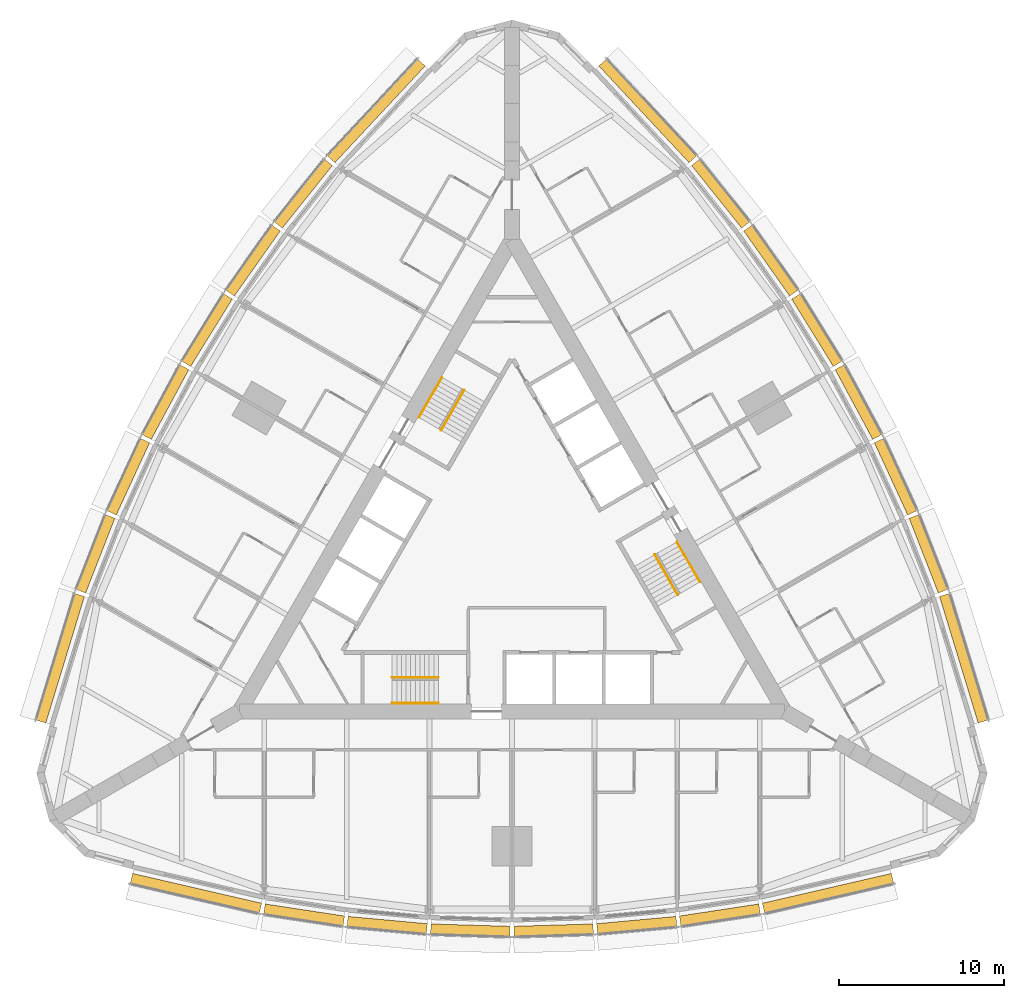
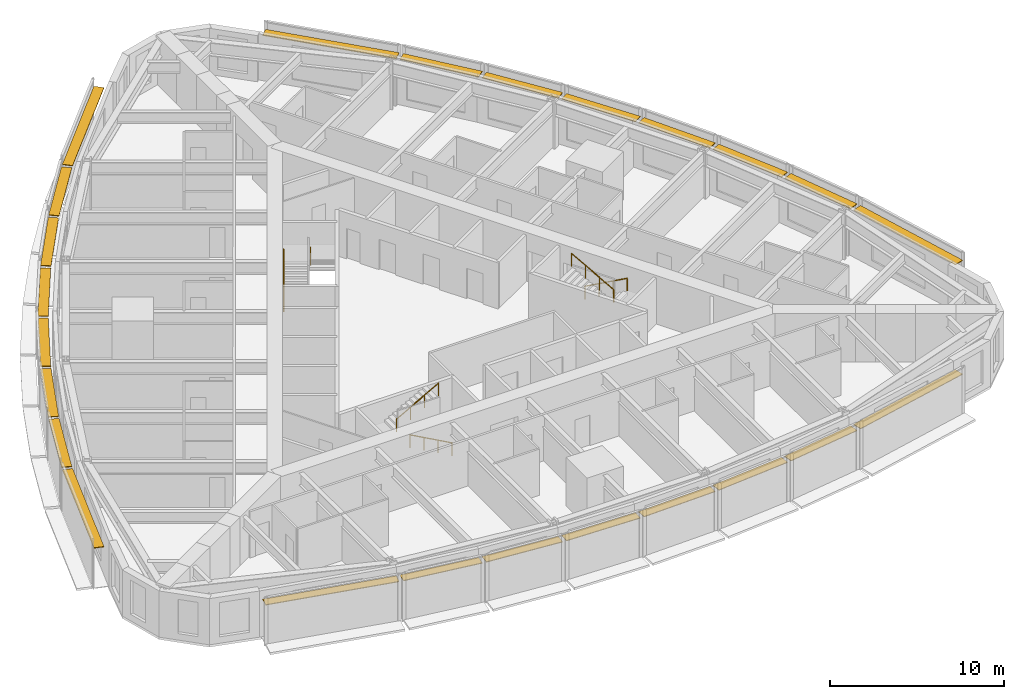
# One storey, part 14 of 14: 24 shading devices, 6 railings.
"""IFC4 building model written with IfcOpenShell, lengths in metres."""

import ifcopenshell
import ifcopenshell.guid

model = None  # the IFC model being written
_history = None  # IfcOwnerHistory: only IFC2X3 demands one
_inside = {}  # id of a spatial element -> (the spatial element, [elements in it])
_under = {}  # id of a project, library or spatial element -> (it, [spatial elements below it])
_declared = {}  # id of a project -> (the project, [libraries it declares])
_typed = {}  # id of a type object -> (the type object, [elements of that type])
_made_of = {}  # id of a material, layer set ... -> (it, [elements and type objects made of it])


def new_model(schema):
    """Start an empty IFC model of exactly this schema.

    Asked for "IFC4X3", IfcOpenShell would pick the latest addendum, in which some entities
    have other attributes; the version numbers below select the first issue.
    IFC2X3 requires an IfcOwnerHistory on every rooted entity: one is made here for all.
    """
    global model, _history
    if schema == "IFC4X3":
        model = ifcopenshell.file(schema_version=(4, 3, 0, 0))
    else:
        model = ifcopenshell.file(schema=schema)
    _inside.clear()
    _under.clear()
    _declared.clear()
    _typed.clear()
    _made_of.clear()
    _history = None
    if model.schema == "IFC2X3":
        org = make("IfcOrganization", Name="unknown")
        user = make(
            "IfcPersonAndOrganization",
            ThePerson=make("IfcPerson", FamilyName="unknown"),
            TheOrganization=org,
        )
        app = make(
            "IfcApplication",
            ApplicationDeveloper=org,
            Version="unknown",
            ApplicationFullName="unknown",
            ApplicationIdentifier="unknown",
        )
        _history = make(
            "IfcOwnerHistory",
            OwningUser=user,
            OwningApplication=app,
            ChangeAction="ADDED",
            CreationDate=0,
        )
    return model


def make(cls, **values):
    """One entity of the class cls with the attributes given. An attribute that is None is left unset."""
    return model.create_entity(
        cls, **{name: value for name, value in values.items() if value is not None}
    )


def rooted(cls, **values):
    """An entity with a GlobalId (a new one), such as an element, a storey or a relation."""
    return make(cls, GlobalId=ifcopenshell.guid.new(), OwnerHistory=_history, **values)


def si_unit(unit_type, name, prefix=None):
    """IfcSIUnit, for example si_unit("LENGTHUNIT", "METRE", prefix="MILLI")."""
    return make("IfcSIUnit", UnitType=unit_type, Prefix=prefix, Name=name)


def assignment(units):
    """IfcUnitAssignment: the units of a project."""
    return None if units is None else make("IfcUnitAssignment", Units=units)


def point(xyz):
    """IfcCartesianPoint."""
    return None if xyz is None else make("IfcCartesianPoint", Coordinates=xyz)


def direction(xyz):
    """IfcDirection."""
    return None if xyz is None else make("IfcDirection", DirectionRatios=xyz)


def frame(location, z_axis=None, x_axis=None):
    """IfcAxis2Placement3D, a coordinate frame: its origin and axes. An axis left out is left unset."""
    return make(
        "IfcAxis2Placement3D",
        Location=point(location),
        Axis=direction(z_axis),
        RefDirection=direction(x_axis),
    )


def frame_2d(location, x_axis=None):
    """IfcAxis2Placement2D, a coordinate frame in the plane: its origin and x axis."""
    return make(
        "IfcAxis2Placement2D", Location=point(location), RefDirection=direction(x_axis)
    )


def origin():
    """The frame at (0, 0, 0) with its axes left unset."""
    return frame((0.0, 0.0, 0.0))


def origin_2d():
    """The frame at (0, 0) in the plane with its x axis left unset."""
    return frame_2d((0.0, 0.0))


def place(relative_to, where):
    """IfcLocalPlacement: puts the frame where relative to a parent placement (None: the world)."""
    return make(
        "IfcLocalPlacement", PlacementRelTo=relative_to, RelativePlacement=where
    )


def context(
    kind, dimensions, precision=None, world=None, true_north=None, identifier=None
):
    """IfcGeometricRepresentationContext, for example the 3D "Model" context."""
    return make(
        "IfcGeometricRepresentationContext",
        ContextIdentifier=identifier,
        ContextType=kind,
        CoordinateSpaceDimension=dimensions,
        Precision=precision,
        WorldCoordinateSystem=world,
        TrueNorth=true_north,
    )


def subcontext(parent, identifier, kind, view, scale=None):
    """IfcGeometricRepresentationSubContext, for example "Body" below "Model"."""
    return make(
        "IfcGeometricRepresentationSubContext",
        ContextIdentifier=identifier,
        ContextType=kind,
        ParentContext=parent,
        TargetScale=scale,
        TargetView=view,
    )


def project(units=None, contexts=None):
    """IfcProject with its units and contexts."""
    return rooted(
        "IfcProject",
        Name="project",
        RepresentationContexts=contexts,
        UnitsInContext=assignment(units),
    )


def spatial(cls, under=None, at=None, **own):
    """A site, building, storey or space (cls), placed at a placement, below another one or the project."""
    s = rooted(cls, ObjectPlacement=at, **own)
    if under is not None:
        _under.setdefault(under.id(), (under, []))[1].append(s)
    return s


def profile(cls, at=None, kind="AREA", **sizes):
    """A parametric profile (cls). Its sizes go by their IFC names, for example OverallWidth=200.0."""
    return make(cls, ProfileType=kind, Position=at, **sizes)


def rectangle(**sizes):
    """IfcRectangleProfileDef."""
    return profile("IfcRectangleProfileDef", **sizes)


def circle(**sizes):
    """IfcCircleProfileDef."""
    return profile("IfcCircleProfileDef", **sizes)


def extrude(swept, where, along, depth):
    """IfcExtrudedAreaSolid: the profile swept, set in the frame where, extruded along a direction by depth."""
    return make(
        "IfcExtrudedAreaSolid",
        SweptArea=swept,
        Position=where,
        ExtrudedDirection=direction(along),
        Depth=depth,
    )


def shape(context_of_items, identifier, shape_type, items):
    """IfcShapeRepresentation: the items that make up one representation, for example the "Body"."""
    return make(
        "IfcShapeRepresentation",
        ContextOfItems=context_of_items,
        RepresentationIdentifier=identifier,
        RepresentationType=shape_type,
        Items=items,
    )


def material(Name=None, Category=None):
    """IfcMaterial."""
    return make("IfcMaterial", Name=Name, Category=Category)


def made_of(thing, what):
    """Note that an element or type object is made of a material, layer set ...; save() writes the relation."""
    if what is not None:
        _made_of.setdefault(what.id(), (what, []))[1].append(thing)
    return thing


def type_object(cls, material=None, **own):
    """A type object (cls), such as IfcWallType, which elements share."""
    return made_of(rooted(cls, **own), material)


def element(
    cls,
    number,
    at=None,
    inside=None,
    cuts=None,
    type_object=None,
    material=None,
    context=None,
    identifier="Body",
    shape_type=None,
    held_by="IfcProductDefinitionShape",
    body=None,
    shapes=None,
    **own,
):
    """One element of the class cls, such as IfcWall. Its Tag is "e" and its number.

    at: its placement. inside: the storey or other place that contains it. cuts: it is an
    opening in that element (IfcRelVoidsElement). A single representation is given by context,
    identifier, shape_type and body (its items); several are given by shapes. held_by: the class
    of the entity that holds the representations. save() writes the other relations.
    """
    e = rooted(cls, Tag="e%d" % number, ObjectPlacement=at, **own)
    if body is not None:
        shapes = [shape(context, identifier, shape_type, body)]
    if shapes is not None:
        e.Representation = make(held_by, Representations=shapes)
    if inside is not None:
        _inside.setdefault(inside.id(), (inside, []))[1].append(e)
    if cuts is not None:
        rooted(
            "IfcRelVoidsElement", RelatingBuildingElement=cuts, RelatedOpeningElement=e
        )
    if type_object is not None:
        _typed.setdefault(type_object.id(), (type_object, []))[1].append(e)
    return made_of(e, material)


def aggregate(whole, parts):
    """IfcRelAggregates: a whole, such as a stair, and the parts it consists of."""
    return rooted("IfcRelAggregates", RelatingObject=whole, RelatedObjects=parts)


def save(model, path):
    """Write the relations noted so far, then the file.

    IfcRelAggregates (storeys below a building ...), IfcRelContainedInSpatialStructure (elements
    in a storey), IfcRelDefinesByType, IfcRelAssociatesMaterial and IfcRelDeclares: one each for
    every whole, place, type object, material and project.
    """
    for whole, parts in _under.values():
        aggregate(whole, parts)
    for where, things in _inside.values():
        rooted(
            "IfcRelContainedInSpatialStructure",
            RelatedElements=things,
            RelatingStructure=where,
        )
    for kind, things in _typed.values():
        rooted("IfcRelDefinesByType", RelatedObjects=things, RelatingType=kind)
    for what, things in _made_of.values():
        rooted("IfcRelAssociatesMaterial", RelatedObjects=things, RelatingMaterial=what)
    for by, libraries in _declared.values():
        rooted("IfcRelDeclares", RelatingContext=by, RelatedDefinitions=libraries)
    model.write(path)


model = new_model("IFC4")

# Units and contexts
model_context = context("Model", 3, precision=1e-05, world=origin(), true_north=direction((0.0, 1.0)))
body_context = subcontext(model_context, "Body", "Model", "MODEL_VIEW")
ifc_project = project(units=[si_unit("LENGTHUNIT", "METRE"), si_unit("AREAUNIT", "SQUARE_METRE"), si_unit("VOLUMEUNIT", "CUBIC_METRE"), si_unit("PLANEANGLEUNIT", "RADIAN"), si_unit("MASSUNIT", "GRAM", prefix="KILO")], contexts=[model_context])

# Site, building, storey
site_placement = place(None, origin())
site = spatial("IfcSite", under=ifc_project, at=site_placement, CompositionType="ELEMENT")
building_placement = place(site_placement, origin())
building = spatial("IfcBuilding", under=site, at=building_placement, Name="Trikona Tower", CompositionType="ELEMENT")
storey_placement = place(building_placement, frame((0.0, 0.0, 82.89990234375)))
storey = spatial("IfcBuildingStorey", under=building, at=storey_placement, Name="L21", CompositionType="ELEMENT", Elevation=82.89990234375)

# Shading devices
ifc_material_1 = material(Name="Aluminium louvre blade, pale anodised", Category="aluminium")
shading_device_type = type_object("IfcShadingDeviceType", Name="Cavity louvre 600", PredefinedType="USERDEFINED", material=ifc_material_1)
shading_device_1_placement = place(storey_placement, frame((-19.126220703125, -20.5234375, 2.77490234375), z_axis=(0.0, 0.0, 1.0), x_axis=(0.974277718622, -0.225350675607, 0.0)))
element("IfcShadingDevice", 1, at=shading_device_1_placement, inside=storey, type_object=shading_device_type, Name="Cavity louvre L21-00", ObjectType="LOUVRE", PredefinedType="USERDEFINED", context=body_context, shape_type="SweptSolid", body=[
    extrude(rectangle(XDim=8.01123046875, YDim=0.60009765625, at=origin_2d()), origin(), (0.0, 0.0, 1.0), 0.050048828125),
])
shading_device_2_placement = place(storey_placement, frame((-12.584228515625, -21.837158203125, 2.77490234375), z_axis=(0.0, 0.0, 1.0), x_axis=(0.988617896768, -0.150448177754, 0.0)))
element("IfcShadingDevice", 2, at=shading_device_2_placement, inside=storey, type_object=shading_device_type, Name="Cavity louvre L21-01", ObjectType="LOUVRE", PredefinedType="USERDEFINED", context=body_context, shape_type="SweptSolid", body=[
    extrude(rectangle(XDim=4.857666015625, YDim=0.60009765625, at=origin_2d()), origin(), (0.0, 0.0, 1.0), 0.050048828125),
])
shading_device_3_placement = place(storey_placement, frame((-7.55078125, -22.44970703125, 2.77490234375), z_axis=(0.0, 0.0, 1.0), x_axis=(0.995858098326, -0.090921108655, 0.0)))
element("IfcShadingDevice", 3, at=shading_device_3_placement, inside=storey, type_object=shading_device_type, Name="Cavity louvre L21-02", ObjectType="LOUVRE", PredefinedType="USERDEFINED", context=body_context, shape_type="SweptSolid", body=[
    extrude(rectangle(XDim=4.82080078125, YDim=0.60009765625, at=origin_2d()), origin(), (0.0, 0.0, 1.0), 0.050048828125),
])
for number, where, z_axis, x_axis, name in (
    (4, (-2.51708984375, -22.756103515625, 2.77490234375), (0.0, 0.0, 1.0), (0.999537048889, -0.030425119525, 0.0), "Cavity louvre L21-03"),
    (5, (2.51708984375, -22.756103515625, 2.77490234375), (0.0, 0.0, 1.0), (0.999537048889, 0.030425119525, 0.0), "Cavity louvre L21-04"),
):
    element("IfcShadingDevice", number, at=place(storey_placement, frame(where, z_axis=z_axis, x_axis=x_axis)), inside=storey, type_object=shading_device_type, Name=name, ObjectType="LOUVRE", PredefinedType="USERDEFINED", context=body_context, shape_type="SweptSolid", body=[
        extrude(rectangle(XDim=4.80224609375, YDim=0.60009765625, at=origin_2d()), origin(), (0.0, 0.0, 1.0), 0.050048828125),
    ])
shading_device_4_placement = place(storey_placement, frame((7.55078125, -22.44970703125, 2.77490234375), z_axis=(0.0, 0.0, 1.0), x_axis=(0.995858098326, 0.090921108655, 0.0)))
element("IfcShadingDevice", 6, at=shading_device_4_placement, inside=storey, type_object=shading_device_type, Name="Cavity louvre L21-05", ObjectType="LOUVRE", PredefinedType="USERDEFINED", context=body_context, shape_type="SweptSolid", body=[
    extrude(rectangle(XDim=4.82080078125, YDim=0.60009765625, at=origin_2d()), origin(), (0.0, 0.0, 1.0), 0.050048828125),
])
shading_device_5_placement = place(storey_placement, frame((12.584228515625, -21.837158203125, 2.77490234375), z_axis=(0.0, 0.0, 1.0), x_axis=(0.988617896768, 0.150448177754, 0.0)))
element("IfcShadingDevice", 7, at=shading_device_5_placement, inside=storey, type_object=shading_device_type, Name="Cavity louvre L21-06", ObjectType="LOUVRE", PredefinedType="USERDEFINED", context=body_context, shape_type="SweptSolid", body=[
    extrude(rectangle(XDim=4.857666015625, YDim=0.60009765625, at=origin_2d()), origin(), (0.0, 0.0, 1.0), 0.050048828125),
])
for number, where, z_axis, x_axis, name in (
    (8, (19.126220703125, -20.5234375, 2.77490234375), (0.0, 0.0, 1.0), (0.974277718622, 0.225350675607, 0.0), "Cavity louvre L21-07"),
    (9, (27.3369140625, -6.302001953125, 2.77490234375), (0.0, 0.0, 1.0), (-0.291979449475, 0.956424592471, 0.0), "Cavity louvre L21-12"),
):
    element("IfcShadingDevice", number, at=place(storey_placement, frame(where, z_axis=z_axis, x_axis=x_axis)), inside=storey, type_object=shading_device_type, Name=name, ObjectType="LOUVRE", PredefinedType="USERDEFINED", context=body_context, shape_type="SweptSolid", body=[
        extrude(rectangle(XDim=8.01123046875, YDim=0.60009765625, at=origin_2d()), origin(), (0.0, 0.0, 1.0), 0.050048828125),
    ])
shading_device_6_placement = place(storey_placement, frame((25.20361328125, 0.020263671875, 2.77490234375), z_axis=(0.0, 0.0, 1.0), x_axis=(-0.364008876551, 0.931395478726, 0.0)))
element("IfcShadingDevice", 10, at=shading_device_6_placement, inside=storey, type_object=shading_device_type, Name="Cavity louvre L21-13", ObjectType="LOUVRE", PredefinedType="USERDEFINED", context=body_context, shape_type="SweptSolid", body=[
    extrude(rectangle(XDim=4.857666015625, YDim=0.60009765625, at=origin_2d()), origin(), (0.0, 0.0, 1.0), 0.050048828125),
])
shading_device_7_placement = place(storey_placement, frame((23.217529296875, 4.685546875, 2.77490234375), z_axis=(0.0, 0.0, 1.0), x_axis=(-0.41919381307, 0.907896771161, 0.0)))
element("IfcShadingDevice", 11, at=shading_device_7_placement, inside=storey, type_object=shading_device_type, Name="Cavity louvre L21-14", ObjectType="LOUVRE", PredefinedType="USERDEFINED", context=body_context, shape_type="SweptSolid", body=[
    extrude(rectangle(XDim=4.82080078125, YDim=0.60009765625, at=origin_2d()), origin(), (0.0, 0.0, 1.0), 0.050048828125),
])
for number, where, z_axis, x_axis, name in (
    (12, (20.966064453125, 9.1982421875, 2.77490234375), (0.0, 0.0, 1.0), (-0.473422672721, 0.880835383572, 0.0), "Cavity louvre L21-15"),
    (13, (18.448974609375, 13.557861328125, 2.77490234375), (0.0, 0.0, 1.0), (-0.526118935114, 0.85041099835, 0.0), "Cavity louvre L21-16"),
):
    element("IfcShadingDevice", number, at=place(storey_placement, frame(where, z_axis=z_axis, x_axis=x_axis)), inside=storey, type_object=shading_device_type, Name=name, ObjectType="LOUVRE", PredefinedType="USERDEFINED", context=body_context, shape_type="SweptSolid", body=[
        extrude(rectangle(XDim=4.80224609375, YDim=0.60009765625, at=origin_2d()), origin(), (0.0, 0.0, 1.0), 0.050048828125),
    ])
shading_device_8_placement = place(storey_placement, frame((15.666748046875, 17.76416015625, 2.77490234375), z_axis=(0.0, 0.0, 1.0), x_axis=(-0.576661909499, 0.816982889743, 0.0)))
element("IfcShadingDevice", 14, at=shading_device_8_placement, inside=storey, type_object=shading_device_type, Name="Cavity louvre L21-17", ObjectType="LOUVRE", PredefinedType="USERDEFINED", context=body_context, shape_type="SweptSolid", body=[
    extrude(rectangle(XDim=4.82080078125, YDim=0.60009765625, at=origin_2d()), origin(), (0.0, 0.0, 1.0), 0.050048828125),
])
shading_device_9_placement = place(storey_placement, frame((12.619384765625, 21.81689453125, 2.77490234375), z_axis=(0.0, 0.0, 1.0), x_axis=(-0.624603618277, 0.780941944087, 0.0)))
element("IfcShadingDevice", 15, at=shading_device_9_placement, inside=storey, type_object=shading_device_type, Name="Cavity louvre L21-18", ObjectType="LOUVRE", PredefinedType="USERDEFINED", context=body_context, shape_type="SweptSolid", body=[
    extrude(rectangle(XDim=4.857666015625, YDim=0.60009765625, at=origin_2d()), origin(), (0.0, 0.0, 1.0), 0.050048828125),
])
for number, where, z_axis, x_axis, name in (
    (16, (8.210693359375, 26.825439453125, 2.77490234375), (0.0, 0.0, 1.0), (-0.682298269147, 0.731073916864, 0.0), "Cavity louvre L21-19"),
    (17, (-8.210693359375, 26.825439453125, 2.77490234375), (0.0, 0.0, 1.0), (-0.682298269147, -0.731073916864, 0.0), "Cavity louvre L21-24"),
):
    element("IfcShadingDevice", number, at=place(storey_placement, frame(where, z_axis=z_axis, x_axis=x_axis)), inside=storey, type_object=shading_device_type, Name=name, ObjectType="LOUVRE", PredefinedType="USERDEFINED", context=body_context, shape_type="SweptSolid", body=[
        extrude(rectangle(XDim=8.01123046875, YDim=0.60009765625, at=origin_2d()), origin(), (0.0, 0.0, 1.0), 0.050048828125),
    ])
shading_device_10_placement = place(storey_placement, frame((-12.619384765625, 21.81689453125, 2.77490234375), z_axis=(0.0, 0.0, 1.0), x_axis=(-0.624603618277, -0.780941944087, 0.0)))
element("IfcShadingDevice", 18, at=shading_device_10_placement, inside=storey, type_object=shading_device_type, Name="Cavity louvre L21-25", ObjectType="LOUVRE", PredefinedType="USERDEFINED", context=body_context, shape_type="SweptSolid", body=[
    extrude(rectangle(XDim=4.857666015625, YDim=0.60009765625, at=origin_2d()), origin(), (0.0, 0.0, 1.0), 0.050048828125),
])
shading_device_11_placement = place(storey_placement, frame((-15.666748046875, 17.76416015625, 2.77490234375), z_axis=(0.0, 0.0, 1.0), x_axis=(-0.576661909499, -0.816982889743, 0.0)))
element("IfcShadingDevice", 19, at=shading_device_11_placement, inside=storey, type_object=shading_device_type, Name="Cavity louvre L21-26", ObjectType="LOUVRE", PredefinedType="USERDEFINED", context=body_context, shape_type="SweptSolid", body=[
    extrude(rectangle(XDim=4.82080078125, YDim=0.60009765625, at=origin_2d()), origin(), (0.0, 0.0, 1.0), 0.050048828125),
])
for number, where, z_axis, x_axis, name in (
    (20, (-18.448974609375, 13.557861328125, 2.77490234375), (0.0, 0.0, 1.0), (-0.526118935114, -0.85041099835, 0.0), "Cavity louvre L21-27"),
    (21, (-20.966064453125, 9.1982421875, 2.77490234375), (0.0, 0.0, 1.0), (-0.473422672721, -0.880835383572, 0.0), "Cavity louvre L21-28"),
):
    element("IfcShadingDevice", number, at=place(storey_placement, frame(where, z_axis=z_axis, x_axis=x_axis)), inside=storey, type_object=shading_device_type, Name=name, ObjectType="LOUVRE", PredefinedType="USERDEFINED", context=body_context, shape_type="SweptSolid", body=[
        extrude(rectangle(XDim=4.80224609375, YDim=0.60009765625, at=origin_2d()), origin(), (0.0, 0.0, 1.0), 0.050048828125),
    ])
shading_device_12_placement = place(storey_placement, frame((-23.217529296875, 4.685546875, 2.77490234375), z_axis=(0.0, 0.0, 1.0), x_axis=(-0.41919381307, -0.907896771161, 0.0)))
element("IfcShadingDevice", 22, at=shading_device_12_placement, inside=storey, type_object=shading_device_type, Name="Cavity louvre L21-29", ObjectType="LOUVRE", PredefinedType="USERDEFINED", context=body_context, shape_type="SweptSolid", body=[
    extrude(rectangle(XDim=4.82080078125, YDim=0.60009765625, at=origin_2d()), origin(), (0.0, 0.0, 1.0), 0.050048828125),
])
shading_device_13_placement = place(storey_placement, frame((-25.20361328125, 0.020263671875, 2.77490234375), z_axis=(0.0, 0.0, 1.0), x_axis=(-0.364008876551, -0.931395478726, 0.0)))
element("IfcShadingDevice", 23, at=shading_device_13_placement, inside=storey, type_object=shading_device_type, Name="Cavity louvre L21-30", ObjectType="LOUVRE", PredefinedType="USERDEFINED", context=body_context, shape_type="SweptSolid", body=[
    extrude(rectangle(XDim=4.857666015625, YDim=0.60009765625, at=origin_2d()), origin(), (0.0, 0.0, 1.0), 0.050048828125),
])
shading_device_14_placement = place(storey_placement, frame((-27.3369140625, -6.302001953125, 2.77490234375), z_axis=(0.0, 0.0, 1.0), x_axis=(-0.291979449475, -0.956424592471, 0.0)))
element("IfcShadingDevice", 24, at=shading_device_14_placement, inside=storey, type_object=shading_device_type, Name="Cavity louvre L21-31", ObjectType="LOUVRE", PredefinedType="USERDEFINED", context=body_context, shape_type="SweptSolid", body=[
    extrude(rectangle(XDim=8.01123046875, YDim=0.60009765625, at=origin_2d()), origin(), (0.0, 0.0, 1.0), 0.050048828125),
])

# Railings
ifc_material_2 = material(Name="Stainless steel handrail", Category="steel")
railing_type = type_object("IfcRailingType", Name="Stair handrail", PredefinedType="HANDRAIL", material=ifc_material_2)
railing_1_placement = place(storey_placement, frame((-4.449951171875, -9.016357421875, 0.154541015625)))
element("IfcRailing", 25, at=railing_1_placement, inside=storey, type_object=railing_type, Name="Stair handrail A L21 1", PredefinedType="HANDRAIL", context=body_context, shape_type="SweptSolid", body=[
    extrude(circle(Radius=0.02392578125, at=origin_2d()), frame((0.0, 0.0, 0.8759765625), z_axis=(-0.875471895205, 0.0, 0.483269035534), x_axis=(0.0, -1.0, 0.0)), (0.0, 0.0, 1.0), 3.1982421875),
    extrude(circle(Radius=0.02099609375, at=origin_2d()), origin(), (0.0, 0.0, 1.0), 0.851806640625),
    extrude(circle(Radius=0.02099609375, at=origin_2d()), frame((-0.933349609375, 0.0, 0.51513671875)), (0.0, 0.0, 1.0), 0.851806640625),
    extrude(circle(Radius=0.02099609375, at=origin_2d()), frame((-1.86669921875, 0.0, 1.030517578125)), (0.0, 0.0, 1.0), 0.851806640625),
    extrude(circle(Radius=0.02099609375, at=origin_2d()), frame((-2.800048828125, 0.0, 1.545654296875)), (0.0, 0.0, 1.0), 0.851806640625),
])
railing_2_placement = place(storey_placement, frame((-7.25, -7.46630859375, 1.8544921875)))
element("IfcRailing", 26, at=railing_2_placement, inside=storey, type_object=railing_type, Name="Stair handrail A L21 2", PredefinedType="HANDRAIL", context=body_context, shape_type="SweptSolid", body=[
    extrude(circle(Radius=0.02392578125, at=origin_2d()), frame((0.0, 0.0, 0.8759765625), z_axis=(0.875471895205, 0.0, 0.483269035534), x_axis=(0.0, 1.0, 0.0)), (0.0, 0.0, 1.0), 3.1982421875),
    extrude(circle(Radius=0.02099609375, at=origin_2d()), origin(), (0.0, 0.0, 1.0), 0.851806640625),
    extrude(circle(Radius=0.02099609375, at=origin_2d()), frame((0.933349609375, 0.0, 0.51513671875)), (0.0, 0.0, 1.0), 0.851806640625),
    extrude(circle(Radius=0.02099609375, at=origin_2d()), frame((1.86669921875, 0.0, 1.030517578125)), (0.0, 0.0, 1.0), 0.851806640625),
    extrude(circle(Radius=0.02099609375, at=origin_2d()), frame((2.800048828125, 0.0, 1.545654296875)), (0.0, 0.0, 1.0), 0.851806640625),
])
railing_3_placement = place(storey_placement, frame((9.9833984375, 0.740966796875, 0.154541015625)))
element("IfcRailing", 27, at=railing_3_placement, inside=storey, type_object=railing_type, Name="Stair handrail B L21 1", PredefinedType="HANDRAIL", context=body_context, shape_type="SweptSolid", body=[
    extrude(circle(Radius=0.02392578125, at=origin_2d()), frame((0.0, 0.0, 0.8759765625), z_axis=(0.437691042731, -0.758211567396, 0.483261596012), x_axis=(0.866056369097, 0.49994636267, 0.0)), (0.0, 0.0, 1.0), 3.198486328125),
    extrude(circle(Radius=0.02099609375, at=origin_2d()), origin(), (0.0, 0.0, 1.0), 0.851806640625),
    extrude(circle(Radius=0.02099609375, at=origin_2d()), frame((0.466552734375, -0.808349609375, 0.51513671875)), (0.0, 0.0, 1.0), 0.851806640625),
    extrude(circle(Radius=0.02099609375, at=origin_2d()), frame((0.933349609375, -1.61669921875, 1.030517578125)), (0.0, 0.0, 1.0), 0.851806640625),
    extrude(circle(Radius=0.02099609375, at=origin_2d()), frame((1.39990234375, -2.425048828125, 1.545654296875)), (0.0, 0.0, 1.0), 0.851806640625),
])
railing_4_placement = place(storey_placement, frame((10.041015625, -2.458984375, 1.8544921875)))
element("IfcRailing", 28, at=railing_4_placement, inside=storey, type_object=railing_type, Name="Stair handrail B L21 2", PredefinedType="HANDRAIL", context=body_context, shape_type="SweptSolid", body=[
    extrude(circle(Radius=0.02392578125, at=origin_2d()), frame((0.0, 0.0, 0.8759765625), z_axis=(-0.437691042731, 0.758211567396, 0.483261596012), x_axis=(-0.866056369097, -0.49994636267, 0.0)), (0.0, 0.0, 1.0), 3.198486328125),
    extrude(circle(Radius=0.02099609375, at=origin_2d()), origin(), (0.0, 0.0, 1.0), 0.851806640625),
    extrude(circle(Radius=0.02099609375, at=origin_2d()), frame((-0.466552734375, 0.808349609375, 0.51513671875)), (0.0, 0.0, 1.0), 0.851806640625),
    extrude(circle(Radius=0.02099609375, at=origin_2d()), frame((-0.933349609375, 1.61669921875, 1.030517578125)), (0.0, 0.0, 1.0), 0.851806640625),
    extrude(circle(Radius=0.02099609375, at=origin_2d()), frame((-1.39990234375, 2.425048828125, 1.545654296875)), (0.0, 0.0, 1.0), 0.851806640625),
])
railing_5_placement = place(storey_placement, frame((-5.63330078125, 8.275390625, 0.154541015625)))
element("IfcRailing", 29, at=railing_5_placement, inside=storey, type_object=railing_type, Name="Stair handrail C L21 1", PredefinedType="HANDRAIL", context=body_context, shape_type="SweptSolid", body=[
    extrude(circle(Radius=0.02392578125, at=origin_2d()), frame((0.0, 0.0, 0.8759765625), z_axis=(0.437716375571, 0.758179114435, 0.4832895664), x_axis=(-0.866034573852, 0.49998411664, 0.0)), (0.0, 0.0, 1.0), 3.1982421875),
    extrude(circle(Radius=0.02099609375, at=origin_2d()), origin(), (0.0, 0.0, 1.0), 0.851806640625),
    extrude(circle(Radius=0.02099609375, at=origin_2d()), frame((0.466552734375, 0.808349609375, 0.51513671875)), (0.0, 0.0, 1.0), 0.851806640625),
    extrude(circle(Radius=0.02099609375, at=origin_2d()), frame((0.933349609375, 1.616455078125, 1.030517578125)), (0.0, 0.0, 1.0), 0.851806640625),
    extrude(circle(Radius=0.02099609375, at=origin_2d()), frame((1.39990234375, 2.4248046875, 1.545654296875)), (0.0, 0.0, 1.0), 0.851806640625),
])
railing_6_placement = place(storey_placement, frame((-2.89111328125, 9.92529296875, 1.8544921875)))
element("IfcRailing", 30, at=railing_6_placement, inside=storey, type_object=railing_type, Name="Stair handrail C L21 2", PredefinedType="HANDRAIL", context=body_context, shape_type="SweptSolid", body=[
    extrude(circle(Radius=0.02392578125, at=origin_2d()), frame((0.0, 0.0, 0.8759765625), z_axis=(-0.437691042731, -0.758211567396, 0.483261596012), x_axis=(0.866056369097, -0.49994636267, 0.0)), (0.0, 0.0, 1.0), 3.198486328125),
    extrude(circle(Radius=0.02099609375, at=origin_2d()), origin(), (0.0, 0.0, 1.0), 0.851806640625),
    extrude(circle(Radius=0.02099609375, at=origin_2d()), frame((-0.466552734375, -0.808349609375, 0.51513671875)), (0.0, 0.0, 1.0), 0.851806640625),
    extrude(circle(Radius=0.02099609375, at=origin_2d()), frame((-0.933349609375, -1.61669921875, 1.030517578125)), (0.0, 0.0, 1.0), 0.851806640625),
    extrude(circle(Radius=0.02099609375, at=origin_2d()), frame((-1.39990234375, -2.425048828125, 1.545654296875)), (0.0, 0.0, 1.0), 0.851806640625),
])

save(model, "model.ifc")
